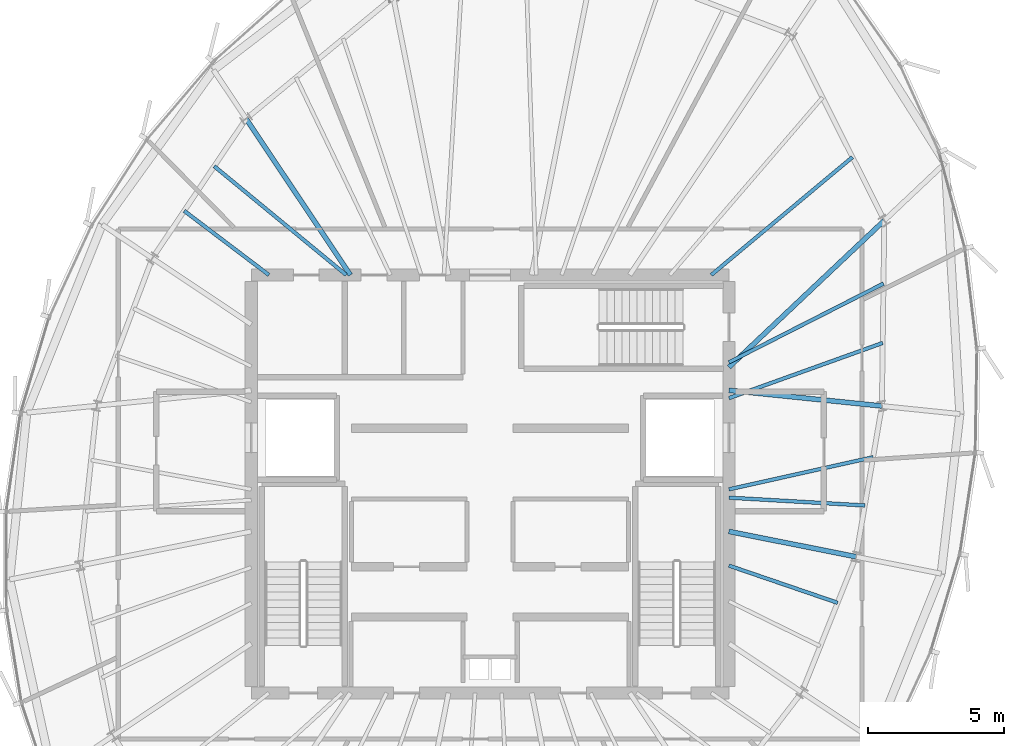
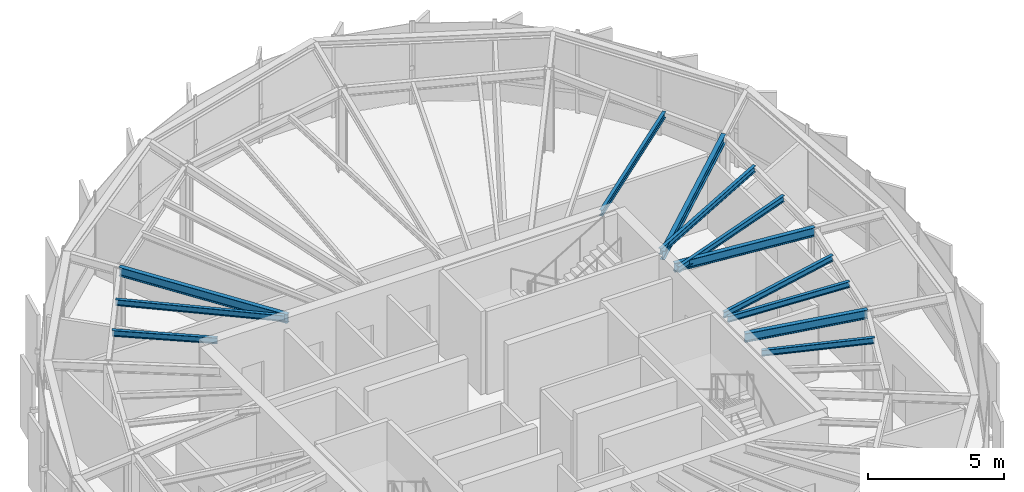
# One storey, part 11 of 27: 12 beams.
"""IFC4 building model written with IfcOpenShell, lengths in metres."""

from ifc_helpers import new_model, si_unit, direction, frame, origin, origin_2d, place, context, subcontext, project, spatial, i_section, extrude, source, transform, mapped, material, material_profile, profile_set, type_object, element, save


model = new_model("IFC4")

# Units and contexts
model_context = context("Model", 3, precision=1e-05, world=origin(), true_north=direction((0.0, 1.0)))
body_context = subcontext(model_context, "Body", "Model", "MODEL_VIEW")
ifc_project = project(units=[si_unit("LENGTHUNIT", "METRE"), si_unit("AREAUNIT", "SQUARE_METRE"), si_unit("VOLUMEUNIT", "CUBIC_METRE"), si_unit("PLANEANGLEUNIT", "RADIAN"), si_unit("MASSUNIT", "GRAM", prefix="KILO"), si_unit("THERMODYNAMICTEMPERATUREUNIT", "KELVIN")], contexts=[model_context])

# Site, building, storey
site_placement = place(None, origin())
site = spatial("IfcSite", under=ifc_project, at=site_placement, CompositionType="ELEMENT")
building_placement = place(site_placement, origin())
building = spatial("IfcBuilding", under=site, at=building_placement, Name="Kethvar Cultural Tower", CompositionType="ELEMENT")
storey_placement = place(building_placement, frame((0.0, 0.0, 312.300048828125)))
storey = spatial("IfcBuildingStorey", under=building, at=storey_placement, Name="L83", CompositionType="ELEMENT", Elevation=312.300048828125)

# Beams
ifc_material = material(Name="Steel S355J2", Category="steel")
ifc_material_profile_1 = material_profile(ifc_material, i_section(OverallWidth=0.135009765625, OverallDepth=0.27001953125, WebThickness=0.006591796875, FlangeThickness=0.01025390625, FilletRadius=0.014892578125, at=origin_2d()), Name="Steel S355J2 — IPE270")
ifc_profile_set_1 = profile_set([ifc_material_profile_1], Name="Steel S355J2 — IPE270")
beam_type_1 = type_object("IfcBeamType", Name="BM-J270", PredefinedType="JOIST", material=ifc_profile_set_1)
shared_shape_1 = source(origin(), body_context, "Body", "SweptSolid", [
    extrude(i_section(OverallWidth=0.135009765625, OverallDepth=0.27001953125, WebThickness=0.006591796875, FlangeThickness=0.01025390625, FilletRadius=0.014892578125, at=origin_2d()), origin(), (0.0, 0.0, 1.0), 6.021240234375),
])
beam_1_placement = place(storey_placement, frame((55.60009765625, 30.960205078125, 3.597900390625), z_axis=(0.94114970072, 0.337990001086, 0.0), x_axis=(-0.337990001086, 0.94114970072, 0.0)))
element("IfcBeam", 1, at=beam_1_placement, inside=storey, type_object=beam_type_1, Name="L83 Composite Floor Joist J-01A", PredefinedType="JOIST", context=body_context, shape_type="MappedRepresentation", body=[
    mapped(shared_shape_1, transform((0.0, 0.0, 0.0), scale=1.0)),
])
shared_shape_2 = source(origin(), body_context, "Body", "SweptSolid", [
    extrude(i_section(OverallWidth=0.135009765625, OverallDepth=0.27001953125, WebThickness=0.006591796875, FlangeThickness=0.01025390625, FilletRadius=0.014892578125, at=origin_2d()), origin(), (0.0, 0.0, 1.0), 6.3916015625),
])
beam_2_placement = place(storey_placement, frame((55.60009765625, 32.281494140625, 3.597900390625), z_axis=(0.891094874615, 0.453817060538, 0.0), x_axis=(-0.453817060538, 0.891094874615, 0.0)))
element("IfcBeam", 2, at=beam_2_placement, inside=storey, type_object=beam_type_1, Name="L83 Composite Floor Joist J-01B", PredefinedType="JOIST", context=body_context, shape_type="MappedRepresentation", body=[
    mapped(shared_shape_2, transform((0.0, 0.0, 0.0), scale=1.0)),
])
shared_shape_3 = source(origin(), body_context, "Body", "SweptSolid", [
    extrude(i_section(OverallWidth=0.135009765625, OverallDepth=0.27001953125, WebThickness=0.006591796875, FlangeThickness=0.01025390625, FilletRadius=0.014892578125, at=origin_2d()), origin(), (0.0, 0.0, 1.0), 6.776123046875),
])
beam_3_placement = place(storey_placement, frame((54.949951171875, 35.5, 3.597900390625), z_axis=(0.767801747857, 0.6406875026, 0.0), x_axis=(-0.6406875026, 0.767801747857, 0.0)))
element("IfcBeam", 3, at=beam_3_placement, inside=storey, type_object=beam_type_1, Name="L83 Composite Floor Joist J-02A", PredefinedType="JOIST", context=body_context, shape_type="MappedRepresentation", body=[
    mapped(shared_shape_3, transform((0.0, 0.0, 0.0), scale=1.0)),
])
shared_shape_4 = source(origin(), body_context, "Body", "SweptSolid", [
    extrude(i_section(OverallWidth=0.135009765625, OverallDepth=0.27001953125, WebThickness=0.006591796875, FlangeThickness=0.01025390625, FilletRadius=0.014892578125, at=origin_2d()), origin(), (0.0, 0.0, 1.0), 6.302978515625),
])
beam_4_placement = place(storey_placement, frame((41.5, 35.5, 3.597900390625), z_axis=(-0.771828477148, 0.635830796567, 0.0), x_axis=(-0.635830796567, -0.771828477148, 0.0)))
element("IfcBeam", 4, at=beam_4_placement, inside=storey, type_object=beam_type_1, Name="L83 Composite Floor Joist J-06A", PredefinedType="JOIST", context=body_context, shape_type="MappedRepresentation", body=[
    mapped(shared_shape_4, transform((0.0, 0.0, 0.0), scale=1.0)),
])
shared_shape_5 = source(origin(), body_context, "Body", "SweptSolid", [
    extrude(i_section(OverallWidth=0.135009765625, OverallDepth=0.27001953125, WebThickness=0.006591796875, FlangeThickness=0.01025390625, FilletRadius=0.014892578125, at=origin_2d()), origin(), (0.0, 0.0, 1.0), 3.91357421875),
])
beam_5_placement = place(storey_placement, frame((38.64990234375, 35.5, 3.597900390625), z_axis=(-0.797214062325, 0.603696727531, 0.0), x_axis=(-0.603696727531, -0.797214062325, 0.0)))
element("IfcBeam", 5, at=beam_5_placement, inside=storey, type_object=beam_type_1, Name="L83 Composite Floor Joist J-06B", PredefinedType="JOIST", context=body_context, shape_type="MappedRepresentation", body=[
    mapped(shared_shape_5, transform((0.0, 0.0, 0.0), scale=1.0)),
])
shared_shape_6 = source(origin(), body_context, "Body", "SweptSolid", [
    extrude(i_section(OverallWidth=0.135009765625, OverallDepth=0.27001953125, WebThickness=0.006591796875, FlangeThickness=0.01025390625, FilletRadius=0.014892578125, at=origin_2d()), origin(), (0.0, 0.0, 1.0), 4.232421875),
])
beam_6_placement = place(storey_placement, frame((55.60009765625, 24.7900390625, 3.597900390625), z_axis=(0.946173747357, -0.323659141402, 0.0), x_axis=(0.323659141402, 0.946173747357, 0.0)))
element("IfcBeam", 6, at=beam_6_placement, inside=storey, type_object=beam_type_1, Name="L83 Composite Floor Joist J-15B", PredefinedType="JOIST", context=body_context, shape_type="MappedRepresentation", body=[
    mapped(shared_shape_6, transform((0.0, 0.0, 0.0), scale=1.0)),
])
shared_shape_7 = source(origin(), body_context, "Body", "SweptSolid", [
    extrude(i_section(OverallWidth=0.135009765625, OverallDepth=0.27001953125, WebThickness=0.006591796875, FlangeThickness=0.01025390625, FilletRadius=0.014892578125, at=origin_2d()), origin(), (0.0, 0.0, 1.0), 5.01611328125),
])
beam_7_placement = place(storey_placement, frame((55.60009765625, 27.294189453125, 3.597900390625), z_axis=(0.998352190078, -0.057383835418, 0.0), x_axis=(0.057383835418, 0.998352190078, 0.0)))
element("IfcBeam", 7, at=beam_7_placement, inside=storey, type_object=beam_type_1, Name="L83 Composite Floor Joist J-16A", PredefinedType="JOIST", context=body_context, shape_type="MappedRepresentation", body=[
    mapped(shared_shape_7, transform((0.0, 0.0, 0.0), scale=1.0)),
])
shared_shape_8 = source(origin(), body_context, "Body", "SweptSolid", [
    extrude(i_section(OverallWidth=0.135009765625, OverallDepth=0.27001953125, WebThickness=0.006591796875, FlangeThickness=0.01025390625, FilletRadius=0.014892578125, at=origin_2d()), origin(), (0.0, 0.0, 1.0), 5.44287109375),
])
beam_8_placement = place(storey_placement, frame((55.60009765625, 27.60009765625, 3.597900390625), z_axis=(0.976080346759, 0.217410111702, 0.0), x_axis=(-0.217410111702, 0.976080346759, 0.0)))
element("IfcBeam", 8, at=beam_8_placement, inside=storey, type_object=beam_type_1, Name="L83 Composite Floor Joist J-16B", PredefinedType="JOIST", context=body_context, shape_type="MappedRepresentation", body=[
    mapped(shared_shape_8, transform((0.0, 0.0, 0.0), scale=1.0)),
])
ifc_material_profile_2 = material_profile(ifc_material, i_section(OverallWidth=0.179931640625, OverallDepth=0.39990234375, WebThickness=0.008544921875, FlangeThickness=0.013427734375, FilletRadius=0.02099609375, at=origin_2d()), Name="Steel S355J2 — IPE400")
ifc_profile_set_2 = profile_set([ifc_material_profile_2], Name="Steel S355J2 — IPE400")
beam_type_2 = type_object("IfcBeamType", Name="BM-IPE400", PredefinedType="BEAM", material=ifc_profile_set_2)
shared_shape_9 = source(origin(), body_context, "Body", "SweptSolid", [
    extrude(i_section(OverallWidth=0.179931640625, OverallDepth=0.39990234375, WebThickness=0.008544921875, FlangeThickness=0.013427734375, FilletRadius=0.02099609375, at=origin_2d()), origin(), (0.0, 0.0, 1.0), 5.66650390625),
])
beam_9_placement = place(storey_placement, frame((55.60009765625, 31.25, 3.532958984375), z_axis=(0.994777513459, -0.102067128476, 0.0), x_axis=(0.102067128476, 0.994777513459, 0.0)))
element("IfcBeam", 9, at=beam_9_placement, inside=storey, type_object=beam_type_2, Name="L83 Primary Radial Beam RB-01", PredefinedType="BEAM", context=body_context, shape_type="MappedRepresentation", body=[
    mapped(shared_shape_9, transform((0.0, 0.0, 0.0), scale=1.0)),
])
shared_shape_10 = source(origin(), body_context, "Body", "SweptSolid", [
    extrude(i_section(OverallWidth=0.179931640625, OverallDepth=0.39990234375, WebThickness=0.008544921875, FlangeThickness=0.013427734375, FilletRadius=0.02099609375, at=origin_2d()), origin(), (0.0, 0.0, 1.0), 7.874267578125),
])
beam_10_placement = place(storey_placement, frame((55.60009765625, 32.10009765625, 3.532958984375), z_axis=(0.727123202456, 0.686506990823, 0.0), x_axis=(-0.686506990823, 0.727123202456, 0.0)))
element("IfcBeam", 10, at=beam_10_placement, inside=storey, type_object=beam_type_2, Name="L83 Primary Radial Beam RB-02", PredefinedType="BEAM", context=body_context, shape_type="MappedRepresentation", body=[
    mapped(shared_shape_10, transform((0.0, 0.0, 0.0), scale=1.0)),
])
shared_shape_11 = source(origin(), body_context, "Body", "SweptSolid", [
    extrude(i_section(OverallWidth=0.179931640625, OverallDepth=0.39990234375, WebThickness=0.008544921875, FlangeThickness=0.013427734375, FilletRadius=0.02099609375, at=origin_2d()), origin(), (0.0, 0.0, 1.0), 6.921630859375),
])
beam_11_placement = place(storey_placement, frame((41.655029296875, 35.5, 3.532958984375), z_axis=(-0.555570841874, 0.831469205479, 0.0), x_axis=(-0.831469205479, -0.555570841874, 0.0)))
element("IfcBeam", 11, at=beam_11_placement, inside=storey, type_object=beam_type_2, Name="L83 Primary Radial Beam RB-06", PredefinedType="BEAM", context=body_context, shape_type="MappedRepresentation", body=[
    mapped(shared_shape_11, transform((0.0, 0.0, 0.0), scale=1.0)),
])
shared_shape_12 = source(origin(), body_context, "Body", "SweptSolid", [
    extrude(i_section(OverallWidth=0.179931640625, OverallDepth=0.39990234375, WebThickness=0.008544921875, FlangeThickness=0.013427734375, FilletRadius=0.02099609375, at=origin_2d()), origin(), (0.0, 0.0, 1.0), 4.775390625),
])
beam_12_placement = place(storey_placement, frame((55.60009765625, 26.049560546875, 3.532958984375), z_axis=(0.980784643133, -0.195093525761, 0.0), x_axis=(0.195093525761, 0.980784643133, 0.0)))
element("IfcBeam", 12, at=beam_12_placement, inside=storey, type_object=beam_type_2, Name="L83 Primary Radial Beam RB-16", PredefinedType="BEAM", context=body_context, shape_type="MappedRepresentation", body=[
    mapped(shared_shape_12, transform((0.0, 0.0, 0.0), scale=1.0)),
])

save(model, "model.ifc")
